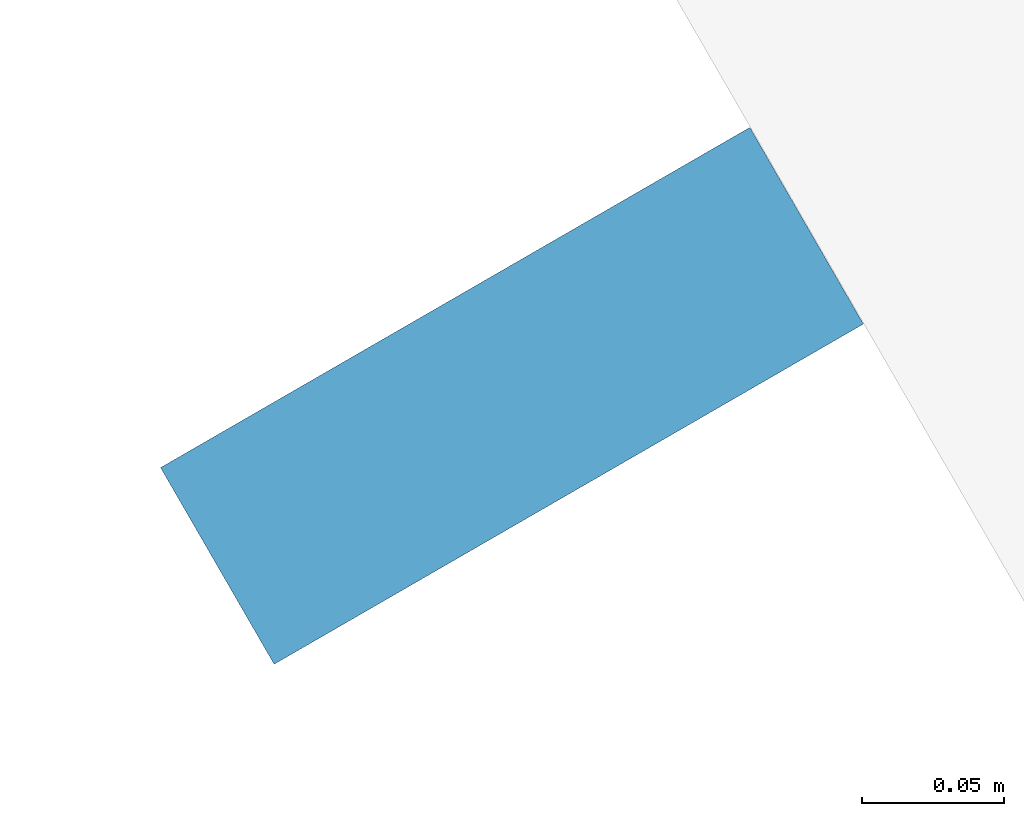
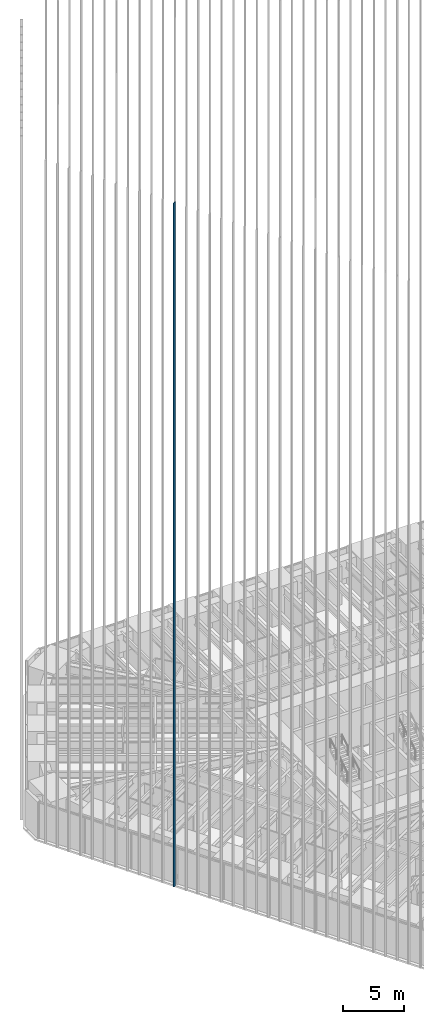
# One storey, part 44 of 256: 1 member, 1 element without a shape of its own.
"""IFC4 building model written with IfcOpenShell, lengths in metres."""

from ifc_helpers import new_model, si_unit, direction, frame, origin, origin_2d, place, context, subcontext, project, spatial, rectangle, extrude, material, material_profile, profile_set, type_object, element, aggregate, save


model = new_model("IFC4")

# Units and contexts
model_context = context("Model", 3, precision=1e-05, world=origin(), true_north=direction((0.0, 1.0)))
body_context = subcontext(model_context, "Body", "Model", "MODEL_VIEW")
ifc_project = project(units=[si_unit("LENGTHUNIT", "METRE"), si_unit("AREAUNIT", "SQUARE_METRE"), si_unit("VOLUMEUNIT", "CUBIC_METRE"), si_unit("PLANEANGLEUNIT", "RADIAN"), si_unit("MASSUNIT", "GRAM", prefix="KILO")], contexts=[model_context])

# Site, building, storey
site_placement = place(None, origin())
site = spatial("IfcSite", under=ifc_project, at=site_placement, CompositionType="ELEMENT")
building_placement = place(site_placement, origin())
building = spatial("IfcBuilding", under=site, at=building_placement, Name="Sandreach Pilgrim Tower", CompositionType="ELEMENT")
storey_placement = place(building_placement, frame((0.0, 0.0, 23.0)))
storey = spatial("IfcBuildingStorey", under=building, at=storey_placement, Name="L04", CompositionType="ELEMENT", Elevation=23.0)

# Curtain wall, member
ifc_material_1 = material(Name="Aluminium framed curtain wall", Category="aluminium")
curtain_wall_type = type_object("IfcCurtainWallType", Name="Hostel tower curtain wall", PredefinedType="NOTDEFINED", material=ifc_material_1)
curtain_wall_placement = place(storey_placement, origin())
curtain_wall = element("IfcCurtainWall", 1, at=curtain_wall_placement, inside=storey, type_object=curtain_wall_type, Name="CW-1 L04 SW", PredefinedType="NOTDEFINED")
ifc_material_2 = material(Name="Extruded terracotta on aluminium core", Category="masonry")
ifc_material_profile = material_profile(ifc_material_2, rectangle(XDim=0.080078125, YDim=0.239990234375, at=origin_2d()), Name="TBW 80X240")
ifc_profile_set = profile_set([ifc_material_profile], Name="Extruded terracotta on aluminium core")
member_type = type_object("IfcMemberType", Name="Terracotta baguette west", PredefinedType="USERDEFINED", material=ifc_profile_set)
member_placement = place(storey_placement, frame((-24.423095703125, -6.435546875, 0.0), z_axis=(0.0, 0.0, 1.0), x_axis=(-0.5, 0.866025403784, 0.0)))
member = element("IfcMember", 2, at=member_placement, type_object=member_type, Name="Baguette Z1 SW24", ObjectType="BAGUETTE", PredefinedType="USERDEFINED", context=body_context, shape_type="SweptSolid", body=[
    extrude(rectangle(XDim=0.080078125, YDim=0.239990234375, at=origin_2d()), origin(), (0.0, 0.0, 1.0), 68.239990234375),
])
aggregate(curtain_wall, [member])

save(model, "model.ifc")
